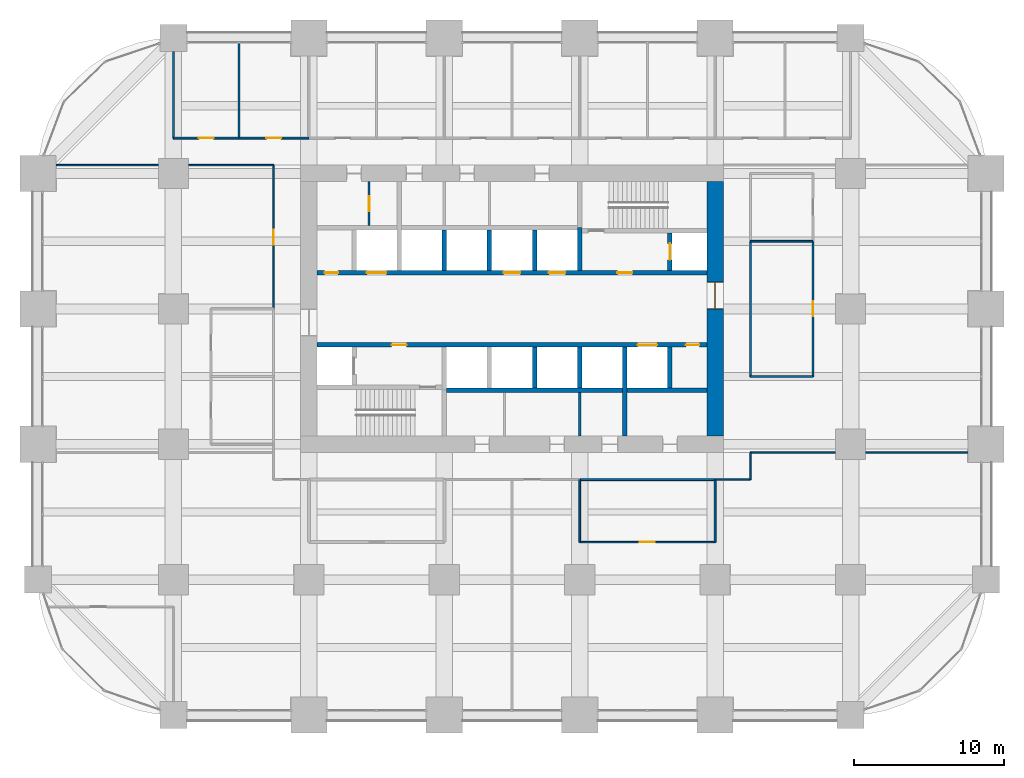
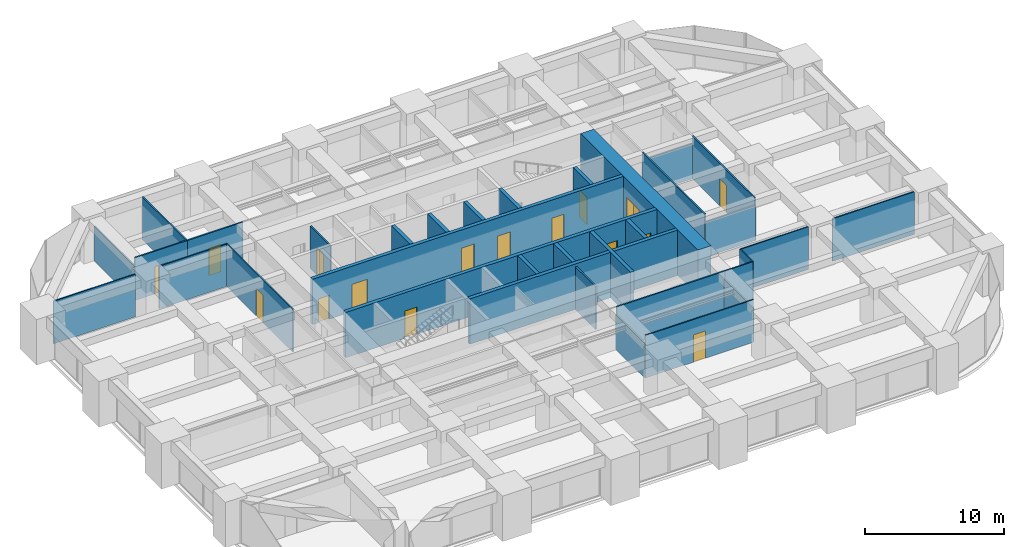
# One storey, part 37 of 40: 34 walls, 16 doors, 16 openings.
"""IFC4 building model written with IfcOpenShell, lengths in metres."""

from ifc_helpers import new_model, si_unit, direction, frame, frame_2d, origin, place, context, subcontext, project, spatial, rectangle, extrude, material, layer, layer_set, type_object, element, fill, save


model = new_model("IFC4")

# Units and contexts
model_context = context("Model", 3, precision=1e-05, world=origin(), true_north=direction((0.0, 1.0)))
body_context = subcontext(model_context, "Body", "Model", "MODEL_VIEW")
ifc_project = project(units=[si_unit("LENGTHUNIT", "METRE"), si_unit("AREAUNIT", "SQUARE_METRE"), si_unit("VOLUMEUNIT", "CUBIC_METRE"), si_unit("PLANEANGLEUNIT", "RADIAN"), si_unit("MASSUNIT", "GRAM", prefix="KILO")], contexts=[model_context])

# Site, building, storey
site_placement = place(None, origin())
site = spatial("IfcSite", under=ifc_project, at=site_placement, CompositionType="ELEMENT")
building_placement = place(site_placement, origin())
building = spatial("IfcBuilding", under=site, at=building_placement, Name="Zorevar Civic Tower", CompositionType="ELEMENT")
storey_placement = place(building_placement, frame((0.0, 0.0, 93.0)))
storey = spatial("IfcBuildingStorey", under=building, at=storey_placement, Name="L22", CompositionType="ELEMENT", Elevation=93.0)

# Wall, opening, door
ifc_material_1 = material(Name="Concrete C50/60", Category="concrete")
ifc_layer_1 = layer(ifc_material_1, 1.10009765625)
ifc_layer_set_1 = layer_set([ifc_layer_1], Name="Core wall 1100")
wall_type_1 = type_object("IfcWallType", Name="Core wall 1100", PredefinedType="SHEAR", material=ifc_layer_set_1)
wall_1_placement = place(storey_placement, frame((45.0, 18.550048828125, 0.0), z_axis=(0.0, 0.0, 1.0), x_axis=(0.0, 1.0, 0.0)))
wall_1 = element("IfcWall", 1, at=wall_1_placement, inside=storey, type_object=wall_type_1, Name="Core wall E L22", PredefinedType="SHEAR", context=body_context, shape_type="SweptSolid", body=[
    extrude(rectangle(XDim=16.89990234375, YDim=1.10009765625, at=frame_2d((8.449951171875, 0.0))), origin(), (0.0, 0.0, 1.0), 4.0),
])
opening_1_placement = place(wall_1_placement, frame((8.449951171875, 0.0, 0.0)))
opening_1 = element("IfcOpeningElement", 2, at=opening_1_placement, cuts=wall_1, Name="Opening L22.02", PredefinedType="OPENING", context=body_context, shape_type="SweptSolid", body=[
    extrude(rectangle(XDim=1.800048828125, YDim=2.39990234375, at=frame_2d((0.89990234375, 1.199951171875))), frame((0.0, 0.56005859375, 0.0), z_axis=(0.0, -1.0, 0.0), x_axis=(1.0, 0.0, 0.0)), (0.0, 0.0, 1.0), 1.1201171875),
])
ifc_material_2 = material(Name="Steel door set", Category="steel")
door_type_1 = type_object("IfcDoorType", Name="Fire door FD2 1800x2400", OperationType="DOUBLE_DOOR_DOUBLE_SWING", PredefinedType="DOOR", material=ifc_material_2)
door_1_placement = place(opening_1_placement, origin())
door_1 = element("IfcDoor", 3, at=door_1_placement, inside=storey, type_object=door_type_1, Name="Door L22 01", OperationType="DOUBLE_DOOR_DOUBLE_SWING", OverallHeight=2.39990234375, OverallWidth=1.800048828125, PredefinedType="DOOR", context=body_context, shape_type="SweptSolid", body=[
    extrude(rectangle(XDim=1.800048828125, YDim=2.39990234375, at=frame_2d((0.89990234375, 1.199951171875))), frame((0.0, 0.030029296875, 0.0), z_axis=(0.0, -1.0, 0.0), x_axis=(1.0, 0.0, 0.0)), (0.0, 0.0, 1.0), 0.06005859375),
    extrude(rectangle(XDim=0.04, YDim=2.39990234375, at=frame_2d((0.02001953125, 1.199951171875))), frame((0.0, 0.5498046875, 0.0), z_axis=(0.0, -1.0, 0.0), x_axis=(1.0, 0.0, 0.0)), (0.0, 0.0, 1.0), 1.099609375),
    extrude(rectangle(XDim=0.04, YDim=2.39990234375, at=frame_2d((1.780029296875, 1.199951171875))), frame((0.0, 0.5498046875, 0.0), z_axis=(0.0, -1.0, 0.0), x_axis=(1.0, 0.0, 0.0)), (0.0, 0.0, 1.0), 1.099609375),
    extrude(rectangle(XDim=1.800048828125, YDim=0.04, at=frame_2d((0.89990234375, 2.3798828125))), frame((0.0, 0.5498046875, 0.0), z_axis=(0.0, -1.0, 0.0), x_axis=(1.0, 0.0, 0.0)), (0.0, 0.0, 1.0), 1.099609375),
])
fill(opening_1, door_1)

ifc_material_3 = material(Name="Laminated glass in black aluminium frame", Category="aluminium")
ifc_layer_2 = layer(ifc_material_3, 0.10009765625)
ifc_layer_set_2 = layer_set([ifc_layer_2], Name="Glazed partition 100")
wall_type_2 = type_object("IfcWallType", Name="Glazed partition 100", PredefinedType="PARTITIONING", material=ifc_layer_set_2)
wall_2_placement = place(storey_placement, frame((36.0, 11.5, 0.0), z_axis=(0.0, 0.0, 1.0), x_axis=(1.0, 0.0, 0.0)))
wall_2 = element("IfcWall", 4, at=wall_2_placement, inside=storey, type_object=wall_type_2, Name="Glazed partition 100 L22", PredefinedType="PARTITIONING", context=body_context, shape_type="SweptSolid", body=[
    extrude(rectangle(XDim=9.0, YDim=0.10009765625, at=frame_2d((4.5, 0.0))), origin(), (0.0, 0.0, 1.0), 3.75),
])
opening_2_placement = place(wall_2_placement, frame((4.0, 0.0, 0.0)))
opening_2 = element("IfcOpeningElement", 5, at=opening_2_placement, cuts=wall_2, Name="Opening L22.19", PredefinedType="OPENING", context=body_context, shape_type="SweptSolid", body=[
    extrude(rectangle(XDim=1.0, YDim=2.39990234375, at=frame_2d((0.5, 1.199951171875))), frame((0.0, 0.06005859375, 0.0), z_axis=(0.0, -1.0, 0.0), x_axis=(1.0, 0.0, 0.0)), (0.0, 0.0, 1.0), 0.1201171875),
])
ifc_material_4 = material(Name="Timber door set", Category="wood")
door_type_2 = type_object("IfcDoorType", Name="Glazed door GD1 1000x2400", OperationType="SINGLE_SWING_LEFT", PredefinedType="DOOR", material=ifc_material_4)
door_2_placement = place(opening_2_placement, origin())
door_2 = element("IfcDoor", 6, at=door_2_placement, inside=storey, type_object=door_type_2, Name="Door L22 D1", OperationType="SINGLE_SWING_LEFT", OverallHeight=2.39990234375, OverallWidth=1.0, PredefinedType="DOOR", context=body_context, shape_type="SweptSolid", body=[
    extrude(rectangle(XDim=1.0, YDim=2.39990234375, at=frame_2d((0.5, 1.199951171875))), frame((0.0, 0.02001953125, 0.0), z_axis=(0.0, -1.0, 0.0), x_axis=(1.0, 0.0, 0.0)), (0.0, 0.0, 1.0), 0.0400390625),
])
fill(opening_2, door_2)

# Walls
wall_3_placement = place(storey_placement, frame((45.0, 15.64990234375, 0.0), z_axis=(0.0, 0.0, 1.0), x_axis=(1.0, 0.0, 0.0)))
element("IfcWall", 7, at=wall_3_placement, inside=storey, type_object=wall_type_2, Name="Glazed partition 100 L22", PredefinedType="PARTITIONING", context=body_context, shape_type="SweptSolid", body=[
    extrude(rectangle(XDim=2.35009765625, YDim=0.10009765625, at=frame_2d((1.175048828125, 0.0))), origin(), (0.0, 0.0, 1.0), 3.75),
])
wall_4_placement = place(storey_placement, frame((47.35009765625, 17.449951171875, 0.0), z_axis=(0.0, 0.0, 1.0), x_axis=(1.0, 0.0, 0.0)))
element("IfcWall", 8, at=wall_4_placement, inside=storey, type_object=wall_type_2, Name="Glazed partition 100 L22", PredefinedType="PARTITIONING", context=body_context, shape_type="SweptSolid", body=[
    extrude(rectangle(XDim=5.64990234375, YDim=0.10009765625, at=frame_2d((2.824951171875, 0.0))), origin(), (0.0, 0.0, 1.0), 3.75),
])
for number, where, z_axis, x_axis, name in (
    (9, (55.0, 17.449951171875, 0.0), (0.0, 0.0, 1.0), (1.0, 0.0, 0.0), "Glazed partition 100 L22"),
    (10, (1.199951171875, 36.550048828125, 0.0), (0.0, 0.0, 1.0), (1.0, 0.0, 0.0), "Glazed partition 100 L22"),
):
    element("IfcWall", number, at=place(storey_placement, frame(where, z_axis=z_axis, x_axis=x_axis)), inside=storey, type_object=wall_type_2, Name=name, PredefinedType="PARTITIONING", context=body_context, shape_type="SweptSolid", body=[
        extrude(rectangle(XDim=6.800048828125, YDim=0.10009765625, at=frame_2d((3.39990234375, 0.0))), origin(), (0.0, 0.0, 1.0), 3.75),
    ])
wall_5_placement = place(storey_placement, frame((10.0, 36.550048828125, 0.0), z_axis=(0.0, 0.0, 1.0), x_axis=(1.0, 0.0, 0.0)))
element("IfcWall", 11, at=wall_5_placement, inside=storey, type_object=wall_type_2, Name="Glazed partition 100 L22", PredefinedType="PARTITIONING", context=body_context, shape_type="SweptSolid", body=[
    extrude(rectangle(XDim=5.64990234375, YDim=0.10009765625, at=frame_2d((2.824951171875, 0.0))), origin(), (0.0, 0.0, 1.0), 3.75),
])

# Wall, opening, door
wall_6_placement = place(storey_placement, frame((15.64990234375, 27.0, 0.0), z_axis=(0.0, 0.0, 1.0), x_axis=(0.0, 1.0, 0.0)))
wall_6 = element("IfcWall", 12, at=wall_6_placement, inside=storey, type_object=wall_type_2, Name="Glazed partition 100 L22", PredefinedType="PARTITIONING", context=body_context, shape_type="SweptSolid", body=[
    extrude(rectangle(XDim=9.550048828125, YDim=0.10009765625, at=frame_2d((4.77490234375, 0.0))), origin(), (0.0, 0.0, 1.0), 3.75),
])
opening_3_placement = place(wall_6_placement, frame((4.27490234375, 0.0, 0.0)))
opening_3 = element("IfcOpeningElement", 13, at=opening_3_placement, cuts=wall_6, Name="Opening L22.34", PredefinedType="OPENING", context=body_context, shape_type="SweptSolid", body=[
    extrude(rectangle(XDim=1.0, YDim=2.39990234375, at=frame_2d((0.5, 1.199951171875))), frame((0.0, 0.06005859375, 0.0), z_axis=(0.0, -1.0, 0.0), x_axis=(1.0, 0.0, 0.0)), (0.0, 0.0, 1.0), 0.1201171875),
])
door_3_placement = place(opening_3_placement, origin())
door_3 = element("IfcDoor", 14, at=door_3_placement, inside=storey, type_object=door_type_2, Name="Door L22 D1", OperationType="SINGLE_SWING_LEFT", OverallHeight=2.39990234375, OverallWidth=1.0, PredefinedType="DOOR", context=body_context, shape_type="SweptSolid", body=[
    extrude(rectangle(XDim=1.0, YDim=2.39990234375, at=frame_2d((0.5, 1.199951171875))), frame((0.0, 0.02001953125, 0.0), z_axis=(0.0, -1.0, 0.0), x_axis=(1.0, 0.0, 0.0)), (0.0, 0.0, 1.0), 0.0400390625),
])
fill(opening_3, door_3)

# Wall
wall_7_placement = place(storey_placement, frame((47.35009765625, 15.64990234375, 0.0), z_axis=(0.0, 0.0, 1.0), x_axis=(0.0, 1.0, 0.0)))
element("IfcWall", 15, at=wall_7_placement, inside=storey, type_object=wall_type_2, Name="Glazed partition 100 L22", PredefinedType="PARTITIONING", context=body_context, shape_type="SweptSolid", body=[
    extrude(rectangle(XDim=1.800048828125, YDim=0.10009765625, at=frame_2d((0.89990234375, 0.0))), origin(), (0.0, 0.0, 1.0), 3.75),
])

# Wall, opening, door
ifc_material_5 = material(Name="Concrete C40/50", Category="concrete")
ifc_layer_3 = layer(ifc_material_5, 0.300048828125)
ifc_layer_set_3 = layer_set([ifc_layer_3], Name="Inner core wall 300")
wall_type_3 = type_object("IfcWallType", Name="Inner core wall 300", PredefinedType="SHEAR", material=ifc_layer_set_3)
wall_8_placement = place(storey_placement, frame((42.0, 29.550048828125, 0.0), z_axis=(0.0, 0.0, 1.0), x_axis=(0.0, 1.0, 0.0)))
wall_8 = element("IfcWall", 16, at=wall_8_placement, inside=storey, type_object=wall_type_3, Name="Inner core wall N02 L22", PredefinedType="SHEAR", context=body_context, shape_type="SweptSolid", body=[
    extrude(rectangle(XDim=2.5, YDim=0.300048828125, at=frame_2d((1.25, 0.0))), origin(), (0.0, 0.0, 1.0), 4.0),
])
opening_4_placement = place(wall_8_placement, frame((0.699951171875, 0.0, 0.0)))
opening_4 = element("IfcOpeningElement", 17, at=opening_4_placement, cuts=wall_8, Name="Opening L22.FL2", PredefinedType="OPENING", context=body_context, shape_type="SweptSolid", body=[
    extrude(rectangle(XDim=1.10009765625, YDim=2.39990234375, at=frame_2d((0.550048828125, 1.199951171875))), frame((0.0, 0.159912109375, 0.0), z_axis=(0.0, -1.0, 0.0), x_axis=(1.0, 0.0, 0.0)), (0.0, 0.0, 1.0), 0.320068359375),
])
ifc_material_6 = material(Name="Steel door set", Category="steel")
door_type_3 = type_object("IfcDoorType", Name="Firefighting lift landing door LD3 1100x2400", OperationType="DOUBLE_DOOR_SLIDING", PredefinedType="DOOR", material=ifc_material_6)
door_4_placement = place(opening_4_placement, origin())
door_4 = element("IfcDoor", 18, at=door_4_placement, inside=storey, type_object=door_type_3, Name="Landing door FL2 L22", OperationType="DOUBLE_DOOR_SLIDING", OverallHeight=2.39990234375, OverallWidth=1.10009765625, PredefinedType="DOOR", context=body_context, shape_type="SweptSolid", body=[
    extrude(rectangle(XDim=1.10009765625, YDim=2.39990234375, at=frame_2d((0.550048828125, 1.199951171875))), frame((0.0, 0.030029296875, 0.0), z_axis=(0.0, -1.0, 0.0), x_axis=(1.0, 0.0, 0.0)), (0.0, 0.0, 1.0), 0.06005859375),
])
fill(opening_4, door_4)

# Wall, openings, doors
wall_9_placement = place(storey_placement, frame((18.550048828125, 24.60009765625, 0.0), z_axis=(0.0, 0.0, 1.0), x_axis=(1.0, 0.0, 0.0)))
wall_9 = element("IfcWall", 19, at=wall_9_placement, inside=storey, type_object=wall_type_3, Name="Inner core wall S03 L22", PredefinedType="SHEAR", context=body_context, shape_type="SweptSolid", body=[
    extrude(rectangle(XDim=25.89990234375, YDim=0.300048828125, at=frame_2d((12.949951171875, 0.0))), origin(), (0.0, 0.0, 1.0), 4.0),
])
opening_5_placement = place(wall_9_placement, frame((4.949951171875, 0.0, 0.0)))
opening_5 = element("IfcOpeningElement", 20, at=opening_5_placement, cuts=wall_9, Name="Opening L22.13", PredefinedType="OPENING", context=body_context, shape_type="SweptSolid", body=[
    extrude(rectangle(XDim=1.0, YDim=2.39990234375, at=frame_2d((0.5, 1.199951171875))), frame((0.0, 0.159912109375, 0.0), z_axis=(0.0, -1.0, 0.0), x_axis=(1.0, 0.0, 0.0)), (0.0, 0.0, 1.0), 0.320068359375),
])
opening_6_placement = place(wall_9_placement, frame((24.5, 0.0, 0.0)))
opening_6 = element("IfcOpeningElement", 21, at=opening_6_placement, cuts=wall_9, Name="Opening L22.15", PredefinedType="OPENING", context=body_context, shape_type="SweptSolid", body=[
    extrude(rectangle(XDim=0.89990234375, YDim=2.10009765625, at=frame_2d((0.449951171875, 1.050048828125))), frame((0.0, 0.159912109375, 0.0), z_axis=(0.0, -1.0, 0.0), x_axis=(1.0, 0.0, 0.0)), (0.0, 0.0, 1.0), 0.320068359375),
])
opening_7_placement = place(wall_9_placement, frame((21.300048828125, 0.0, 0.0)))
opening_7 = element("IfcOpeningElement", 22, at=opening_7_placement, cuts=wall_9, Name="Opening L22.SL1", PredefinedType="OPENING", context=body_context, shape_type="SweptSolid", body=[
    extrude(rectangle(XDim=1.300048828125, YDim=2.39990234375, at=frame_2d((0.64990234375, 1.199951171875))), frame((0.0, 0.159912109375, 0.0), z_axis=(0.0, -1.0, 0.0), x_axis=(1.0, 0.0, 0.0)), (0.0, 0.0, 1.0), 0.320068359375),
])
ifc_material_7 = material(Name="Steel door set", Category="steel")
door_type_4 = type_object("IfcDoorType", Name="Fire door FD1 1000x2400", OperationType="SINGLE_SWING_LEFT", PredefinedType="DOOR", material=ifc_material_7)
door_5_placement = place(opening_5_placement, origin())
door_5 = element("IfcDoor", 23, at=door_5_placement, inside=storey, type_object=door_type_4, Name="Door L22 12", OperationType="SINGLE_SWING_RIGHT", OverallHeight=2.39990234375, OverallWidth=1.0, PredefinedType="DOOR", context=body_context, shape_type="SweptSolid", body=[
    extrude(rectangle(XDim=1.0, YDim=2.39990234375, at=frame_2d((0.5, 1.199951171875))), frame((0.0, 0.030029296875, 0.0), z_axis=(0.0, -1.0, 0.0), x_axis=(1.0, 0.0, 0.0)), (0.0, 0.0, 1.0), 0.06005859375),
])
fill(opening_5, door_5)
ifc_material_8 = material(Name="Steel door set", Category="steel")
door_type_5 = type_object("IfcDoorType", Name="Landing door LD2 1300x2400", OperationType="DOUBLE_DOOR_SLIDING", PredefinedType="DOOR", material=ifc_material_8)
door_6_placement = place(opening_7_placement, origin())
door_6 = element("IfcDoor", 24, at=door_6_placement, inside=storey, type_object=door_type_5, Name="Landing door SL1 L22", OperationType="DOUBLE_DOOR_SLIDING", OverallHeight=2.39990234375, OverallWidth=1.300048828125, PredefinedType="DOOR", context=body_context, shape_type="SweptSolid", body=[
    extrude(rectangle(XDim=1.300048828125, YDim=2.39990234375, at=frame_2d((0.64990234375, 1.199951171875))), frame((0.0, 0.02001953125, 0.0), z_axis=(0.0, -1.0, 0.0), x_axis=(1.0, 0.0, 0.0)), (0.0, 0.0, 1.0), 0.0400390625),
])
fill(opening_7, door_6)
ifc_material_9 = material(Name="Steel door set", Category="steel")
door_type_6 = type_object("IfcDoorType", Name="Riser door RD1 900x2100", OperationType="SINGLE_SWING_LEFT", PredefinedType="DOOR", material=ifc_material_9)
door_7_placement = place(opening_6_placement, origin())
door_7 = element("IfcDoor", 25, at=door_7_placement, inside=storey, type_object=door_type_6, Name="Door L22 14", OperationType="SINGLE_SWING_RIGHT", OverallHeight=2.10009765625, OverallWidth=0.89990234375, PredefinedType="DOOR", context=body_context, shape_type="SweptSolid", body=[
    extrude(rectangle(XDim=0.89990234375, YDim=2.10009765625, at=frame_2d((0.449951171875, 1.050048828125))), frame((0.0, 0.030029296875, 0.0), z_axis=(0.0, -1.0, 0.0), x_axis=(1.0, 0.0, 0.0)), (0.0, 0.0, 1.0), 0.06005859375),
])
fill(opening_6, door_7)

wall_10_placement = place(storey_placement, frame((18.550048828125, 29.39990234375, 0.0), z_axis=(0.0, 0.0, 1.0), x_axis=(1.0, 0.0, 0.0)))
wall_10 = element("IfcWall", 26, at=wall_10_placement, inside=storey, type_object=wall_type_3, Name="Inner core wall N03 L22", PredefinedType="SHEAR", context=body_context, shape_type="SweptSolid", body=[
    extrude(rectangle(XDim=25.89990234375, YDim=0.300048828125, at=frame_2d((12.949951171875, 0.0))), origin(), (0.0, 0.0, 1.0), 4.0),
])
opening_8_placement = place(wall_10_placement, frame((19.949951171875, 0.0, 0.0)))
opening_8 = element("IfcOpeningElement", 27, at=opening_8_placement, cuts=wall_10, Name="Opening L22.14", PredefinedType="OPENING", context=body_context, shape_type="SweptSolid", body=[
    extrude(rectangle(XDim=1.0, YDim=2.39990234375, at=frame_2d((0.5, 1.199951171875))), frame((0.0, 0.159912109375, 0.0), z_axis=(0.0, -1.0, 0.0), x_axis=(1.0, 0.0, 0.0)), (0.0, 0.0, 1.0), 0.320068359375),
])
opening_9_placement = place(wall_10_placement, frame((0.5, 0.0, 0.0)))
opening_9 = element("IfcOpeningElement", 28, at=opening_9_placement, cuts=wall_10, Name="Opening L22.16", PredefinedType="OPENING", context=body_context, shape_type="SweptSolid", body=[
    extrude(rectangle(XDim=0.89990234375, YDim=2.10009765625, at=frame_2d((0.449951171875, 1.050048828125))), frame((0.0, 0.159912109375, 0.0), z_axis=(0.0, -1.0, 0.0), x_axis=(1.0, 0.0, 0.0)), (0.0, 0.0, 1.0), 0.320068359375),
])
opening_10_placement = place(wall_10_placement, frame((15.39990234375, 0.0, 0.0)))
opening_10 = element("IfcOpeningElement", 29, at=opening_10_placement, cuts=wall_10, Name="Opening L22.LM1", PredefinedType="OPENING", context=body_context, shape_type="SweptSolid", body=[
    extrude(rectangle(XDim=1.10009765625, YDim=2.39990234375, at=frame_2d((0.550048828125, 1.199951171875))), frame((0.0, 0.159912109375, 0.0), z_axis=(0.0, -1.0, 0.0), x_axis=(1.0, 0.0, 0.0)), (0.0, 0.0, 1.0), 0.320068359375),
])
opening_11_placement = place(wall_10_placement, frame((12.39990234375, 0.0, 0.0)))
opening_11 = element("IfcOpeningElement", 30, at=opening_11_placement, cuts=wall_10, Name="Opening L22.LM2", PredefinedType="OPENING", context=body_context, shape_type="SweptSolid", body=[
    extrude(rectangle(XDim=1.10009765625, YDim=2.39990234375, at=frame_2d((0.550048828125, 1.199951171875))), frame((0.0, 0.159912109375, 0.0), z_axis=(0.0, -1.0, 0.0), x_axis=(1.0, 0.0, 0.0)), (0.0, 0.0, 1.0), 0.320068359375),
])
opening_12_placement = place(wall_10_placement, frame((3.300048828125, 0.0, 0.0)))
opening_12 = element("IfcOpeningElement", 31, at=opening_12_placement, cuts=wall_10, Name="Opening L22.SL2", PredefinedType="OPENING", context=body_context, shape_type="SweptSolid", body=[
    extrude(rectangle(XDim=1.300048828125, YDim=2.39990234375, at=frame_2d((0.64990234375, 1.199951171875))), frame((0.0, 0.159912109375, 0.0), z_axis=(0.0, -1.0, 0.0), x_axis=(1.0, 0.0, 0.0)), (0.0, 0.0, 1.0), 0.320068359375),
])
door_8_placement = place(opening_8_placement, origin())
door_8 = element("IfcDoor", 32, at=door_8_placement, inside=storey, type_object=door_type_4, Name="Door L22 13", OperationType="SINGLE_SWING_RIGHT", OverallHeight=2.39990234375, OverallWidth=1.0, PredefinedType="DOOR", context=body_context, shape_type="SweptSolid", body=[
    extrude(rectangle(XDim=1.0, YDim=2.39990234375, at=frame_2d((0.5, 1.199951171875))), frame((0.0, 0.030029296875, 0.0), z_axis=(0.0, -1.0, 0.0), x_axis=(1.0, 0.0, 0.0)), (0.0, 0.0, 1.0), 0.06005859375),
])
fill(opening_8, door_8)
ifc_material_10 = material(Name="Steel door set", Category="steel")
door_type_7 = type_object("IfcDoorType", Name="Landing door LD1 1100x2400", OperationType="DOUBLE_DOOR_SLIDING", PredefinedType="DOOR", material=ifc_material_10)
door_9_placement = place(opening_10_placement, origin())
door_9 = element("IfcDoor", 33, at=door_9_placement, inside=storey, type_object=door_type_7, Name="Landing door LM1 L22", OperationType="DOUBLE_DOOR_SLIDING", OverallHeight=2.39990234375, OverallWidth=1.10009765625, PredefinedType="DOOR", context=body_context, shape_type="SweptSolid", body=[
    extrude(rectangle(XDim=1.10009765625, YDim=2.39990234375, at=frame_2d((0.550048828125, 1.199951171875))), frame((0.0, 0.02001953125, 0.0), z_axis=(0.0, -1.0, 0.0), x_axis=(1.0, 0.0, 0.0)), (0.0, 0.0, 1.0), 0.0400390625),
])
fill(opening_10, door_9)
door_10_placement = place(opening_11_placement, origin())
door_10 = element("IfcDoor", 34, at=door_10_placement, inside=storey, type_object=door_type_7, Name="Landing door LM2 L22", OperationType="DOUBLE_DOOR_SLIDING", OverallHeight=2.39990234375, OverallWidth=1.10009765625, PredefinedType="DOOR", context=body_context, shape_type="SweptSolid", body=[
    extrude(rectangle(XDim=1.10009765625, YDim=2.39990234375, at=frame_2d((0.550048828125, 1.199951171875))), frame((0.0, 0.02001953125, 0.0), z_axis=(0.0, -1.0, 0.0), x_axis=(1.0, 0.0, 0.0)), (0.0, 0.0, 1.0), 0.0400390625),
])
fill(opening_11, door_10)
door_11_placement = place(opening_12_placement, origin())
door_11 = element("IfcDoor", 35, at=door_11_placement, inside=storey, type_object=door_type_5, Name="Landing door SL2 L22", OperationType="DOUBLE_DOOR_SLIDING", OverallHeight=2.39990234375, OverallWidth=1.300048828125, PredefinedType="DOOR", context=body_context, shape_type="SweptSolid", body=[
    extrude(rectangle(XDim=1.300048828125, YDim=2.39990234375, at=frame_2d((0.64990234375, 1.199951171875))), frame((0.0, 0.02001953125, 0.0), z_axis=(0.0, -1.0, 0.0), x_axis=(1.0, 0.0, 0.0)), (0.0, 0.0, 1.0), 0.0400390625),
])
fill(opening_12, door_11)
door_12_placement = place(opening_9_placement, origin())
door_12 = element("IfcDoor", 36, at=door_12_placement, inside=storey, type_object=door_type_6, Name="Door L22 15", OperationType="SINGLE_SWING_RIGHT", OverallHeight=2.10009765625, OverallWidth=0.89990234375, PredefinedType="DOOR", context=body_context, shape_type="SweptSolid", body=[
    extrude(rectangle(XDim=0.89990234375, YDim=2.10009765625, at=frame_2d((0.449951171875, 1.050048828125))), frame((0.0, 0.030029296875, 0.0), z_axis=(0.0, -1.0, 0.0), x_axis=(1.0, 0.0, 0.0)), (0.0, 0.0, 1.0), 0.06005859375),
])
fill(opening_9, door_12)

# Walls
wall_11_placement = place(storey_placement, frame((27.14990234375, 21.60009765625, 0.0), z_axis=(0.0, 0.0, 1.0), x_axis=(1.0, 0.0, 0.0)))
element("IfcWall", 37, at=wall_11_placement, inside=storey, type_object=wall_type_3, Name="Inner core wall S04 L22", PredefinedType="SHEAR", context=body_context, shape_type="SweptSolid", body=[
    extrude(rectangle(XDim=17.300048828125, YDim=0.300048828125, at=frame_2d((8.64990234375, 0.0))), origin(), (0.0, 0.0, 1.0), 4.0),
])
for number, where, z_axis, x_axis, name in (
    (38, (33.0, 29.550048828125, 0.0), (0.0, 0.0, 1.0), (0.0, 1.0, 0.0), "Inner core wall N05 L22"),
    (39, (33.0, 21.75, 0.0), (0.0, 0.0, 1.0), (0.0, 1.0, 0.0), "Inner core wall S06 L22"),
    (40, (30.0, 29.550048828125, 0.0), (0.0, 0.0, 1.0), (0.0, 1.0, 0.0), "Inner core wall N06 L22"),
    (41, (36.0, 21.75, 0.0), (0.0, 0.0, 1.0), (0.0, 1.0, 0.0), "Inner core wall S07 L22"),
    (42, (27.0, 29.550048828125, 0.0), (0.0, 0.0, 1.0), (0.0, 1.0, 0.0), "Inner core wall N07 L22"),
):
    element("IfcWall", number, at=place(storey_placement, frame(where, z_axis=z_axis, x_axis=x_axis)), inside=storey, type_object=wall_type_3, Name=name, PredefinedType="SHEAR", context=body_context, shape_type="SweptSolid", body=[
        extrude(rectangle(XDim=2.699951171875, YDim=0.300048828125, at=frame_2d((1.35009765625, 0.0))), origin(), (0.0, 0.0, 1.0), 4.0),
    ])
wall_12_placement = place(storey_placement, frame((39.0, 18.550048828125, 0.0), z_axis=(0.0, 0.0, 1.0), x_axis=(0.0, 1.0, 0.0)))
element("IfcWall", 43, at=wall_12_placement, inside=storey, type_object=wall_type_3, Name="Inner core wall S08 L22", PredefinedType="SHEAR", context=body_context, shape_type="SweptSolid", body=[
    extrude(rectangle(XDim=5.89990234375, YDim=0.300048828125, at=frame_2d((2.949951171875, 0.0))), origin(), (0.0, 0.0, 1.0), 4.0),
])
wall_13_placement = place(storey_placement, frame((42.0, 21.75, 0.0), z_axis=(0.0, 0.0, 1.0), x_axis=(0.0, 1.0, 0.0)))
element("IfcWall", 44, at=wall_13_placement, inside=storey, type_object=wall_type_3, Name="Inner core wall S09 L22", PredefinedType="SHEAR", context=body_context, shape_type="SweptSolid", body=[
    extrude(rectangle(XDim=2.699951171875, YDim=0.300048828125, at=frame_2d((1.35009765625, 0.0))), origin(), (0.0, 0.0, 1.0), 4.0),
])
wall_14_placement = place(storey_placement, frame((36.0, 29.550048828125, 0.0), z_axis=(0.0, 0.0, 1.0), x_axis=(0.0, 1.0, 0.0)))
element("IfcWall", 45, at=wall_14_placement, inside=storey, type_object=wall_type_3, Name="Inner core wall N10 L22", PredefinedType="SHEAR", context=body_context, shape_type="SweptSolid", body=[
    extrude(rectangle(XDim=2.849853515625, YDim=0.300048828125, at=frame_2d((1.4248046875, 0.0))), origin(), (0.0, 0.0, 1.0), 4.0),
])
ifc_material_11 = material(Name="Gypsum board on steel studs", Category="steel")
ifc_layer_4 = layer(ifc_material_11, 0.1201171875)
ifc_layer_set_4 = layer_set([ifc_layer_4], Name="Partition 120")
wall_type_4 = type_object("IfcWallType", Name="Partition 120", PredefinedType="PARTITIONING", material=ifc_layer_set_4)
wall_15_placement = place(storey_placement, frame((36.0, 15.64990234375, 0.0), z_axis=(0.0, 0.0, 1.0), x_axis=(1.0, 0.0, 0.0)))
element("IfcWall", 46, at=wall_15_placement, inside=storey, type_object=wall_type_4, Name="Partition 120 L22", PredefinedType="PARTITIONING", context=body_context, shape_type="SweptSolid", body=[
    extrude(rectangle(XDim=9.0, YDim=0.1201171875, at=frame_2d((4.5, 0.0))), origin(), (0.0, 0.0, 1.0), 3.75),
])
for number, where, z_axis, x_axis, name in (
    (47, (47.35009765625, 22.5, 0.0), (0.0, 0.0, 1.0), (1.0, 0.0, 0.0), "Partition 120 L22"),
    (48, (47.35009765625, 31.5, 0.0), (0.0, 0.0, 1.0), (1.0, 0.0, 0.0), "Partition 120 L22"),
):
    element("IfcWall", number, at=place(storey_placement, frame(where, z_axis=z_axis, x_axis=x_axis)), inside=storey, type_object=wall_type_4, Name=name, PredefinedType="PARTITIONING", context=body_context, shape_type="SweptSolid", body=[
        extrude(rectangle(XDim=4.14990234375, YDim=0.1201171875, at=frame_2d((2.074951171875, 0.0))), origin(), (0.0, 0.0, 1.0), 3.10009765625),
    ])

# Wall, opening, door
wall_16_placement = place(storey_placement, frame((9.0, 38.35009765625, 0.0), z_axis=(0.0, 0.0, 1.0), x_axis=(1.0, 0.0, 0.0)))
wall_16 = element("IfcWall", 49, at=wall_16_placement, inside=storey, type_object=wall_type_4, Name="Partition 120 L22", PredefinedType="PARTITIONING", context=body_context, shape_type="SweptSolid", body=[
    extrude(rectangle(XDim=4.35009765625, YDim=0.1201171875, at=frame_2d((2.175048828125, 0.0))), origin(), (0.0, 0.0, 1.0), 3.75),
])
opening_13_placement = place(wall_16_placement, frame((1.675048828125, 0.0, 0.0)))
opening_13 = element("IfcOpeningElement", 50, at=opening_13_placement, cuts=wall_16, Name="Opening L22.22", PredefinedType="OPENING", context=body_context, shape_type="SweptSolid", body=[
    extrude(rectangle(XDim=1.0, YDim=2.39990234375, at=frame_2d((0.5, 1.199951171875))), frame((0.0, 0.070068359375, 0.0), z_axis=(0.0, -1.0, 0.0), x_axis=(1.0, 0.0, 0.0)), (0.0, 0.0, 1.0), 0.14013671875),
])
ifc_material_12 = material(Name="Timber door set", Category="wood")
door_type_8 = type_object("IfcDoorType", Name="Door D1 1000x2400", OperationType="SINGLE_SWING_LEFT", PredefinedType="DOOR", material=ifc_material_12)
door_13_placement = place(opening_13_placement, origin())
door_13 = element("IfcDoor", 51, at=door_13_placement, inside=storey, type_object=door_type_8, Name="Door L22 D1", OperationType="SINGLE_SWING_LEFT", OverallHeight=2.39990234375, OverallWidth=1.0, PredefinedType="DOOR", context=body_context, shape_type="SweptSolid", body=[
    extrude(rectangle(XDim=1.0, YDim=2.39990234375, at=frame_2d((0.5, 1.199951171875))), frame((0.0, 0.02490234375, 0.0), z_axis=(0.0, -1.0, 0.0), x_axis=(1.0, 0.0, 0.0)), (0.0, 0.0, 1.0), 0.050048828125),
])
fill(opening_13, door_13)

wall_17_placement = place(storey_placement, frame((13.35009765625, 38.35009765625, 0.0), z_axis=(0.0, 0.0, 1.0), x_axis=(1.0, 0.0, 0.0)))
wall_17 = element("IfcWall", 52, at=wall_17_placement, inside=storey, type_object=wall_type_4, Name="Partition 120 L22", PredefinedType="PARTITIONING", context=body_context, shape_type="SweptSolid", body=[
    extrude(rectangle(XDim=4.64990234375, YDim=0.1201171875, at=frame_2d((2.324951171875, 0.0))), origin(), (0.0, 0.0, 1.0), 3.75),
])
opening_14_placement = place(wall_17_placement, frame((1.824951171875, 0.0, 0.0)))
opening_14 = element("IfcOpeningElement", 53, at=opening_14_placement, cuts=wall_17, Name="Opening L22.23", PredefinedType="OPENING", context=body_context, shape_type="SweptSolid", body=[
    extrude(rectangle(XDim=1.0, YDim=2.39990234375, at=frame_2d((0.5, 1.199951171875))), frame((0.0, 0.070068359375, 0.0), z_axis=(0.0, -1.0, 0.0), x_axis=(1.0, 0.0, 0.0)), (0.0, 0.0, 1.0), 0.14013671875),
])
door_14_placement = place(opening_14_placement, origin())
door_14 = element("IfcDoor", 54, at=door_14_placement, inside=storey, type_object=door_type_8, Name="Door L22 D1", OperationType="SINGLE_SWING_LEFT", OverallHeight=2.39990234375, OverallWidth=1.0, PredefinedType="DOOR", context=body_context, shape_type="SweptSolid", body=[
    extrude(rectangle(XDim=1.0, YDim=2.39990234375, at=frame_2d((0.5, 1.199951171875))), frame((0.0, 0.02490234375, 0.0), z_axis=(0.0, -1.0, 0.0), x_axis=(1.0, 0.0, 0.0)), (0.0, 0.0, 1.0), 0.050048828125),
])
fill(opening_14, door_14)

# Walls
wall_18_placement = place(storey_placement, frame((9.0, 38.35009765625, 0.0), z_axis=(0.0, 0.0, 1.0), x_axis=(0.0, 1.0, 0.0)))
element("IfcWall", 55, at=wall_18_placement, inside=storey, type_object=wall_type_4, Name="Partition 120 L22", PredefinedType="PARTITIONING", context=body_context, shape_type="SweptSolid", body=[
    extrude(rectangle(XDim=5.75, YDim=0.1201171875, at=frame_2d((2.875, 0.0))), origin(), (0.0, 0.0, 1.0), 3.050048828125),
])
wall_19_placement = place(storey_placement, frame((13.35009765625, 38.35009765625, 0.0), z_axis=(0.0, 0.0, 1.0), x_axis=(0.0, 1.0, 0.0)))
element("IfcWall", 56, at=wall_19_placement, inside=storey, type_object=wall_type_4, Name="Partition 120 L22", PredefinedType="PARTITIONING", context=body_context, shape_type="SweptSolid", body=[
    extrude(rectangle(XDim=6.33984375, YDim=0.1201171875, at=frame_2d((3.169921875, 0.0))), origin(), (0.0, 0.0, 1.0), 3.75),
])
for number, where, z_axis, x_axis, name in (
    (57, (36.0, 11.5, 0.0), (0.0, 0.0, 1.0), (0.0, 1.0, 0.0), "Partition 120 L22"),
    (58, (45.0, 11.5, 0.0), (0.0, 0.0, 1.0), (0.0, 1.0, 0.0), "Partition 120 L22"),
):
    element("IfcWall", number, at=place(storey_placement, frame(where, z_axis=z_axis, x_axis=x_axis)), inside=storey, type_object=wall_type_4, Name=name, PredefinedType="PARTITIONING", context=body_context, shape_type="SweptSolid", body=[
        extrude(rectangle(XDim=4.14990234375, YDim=0.1201171875, at=frame_2d((2.074951171875, 0.0))), origin(), (0.0, 0.0, 1.0), 3.050048828125),
    ])
wall_20_placement = place(storey_placement, frame((47.35009765625, 22.5, 0.0), z_axis=(0.0, 0.0, 1.0), x_axis=(0.0, 1.0, 0.0)))
element("IfcWall", 59, at=wall_20_placement, inside=storey, type_object=wall_type_4, Name="Partition 120 L22", PredefinedType="PARTITIONING", context=body_context, shape_type="SweptSolid", body=[
    extrude(rectangle(XDim=9.0, YDim=0.1201171875, at=frame_2d((4.5, 0.0))), origin(), (0.0, 0.0, 1.0), 3.75),
])

# Wall, opening, door
wall_21_placement = place(storey_placement, frame((51.5, 22.5, 0.0), z_axis=(0.0, 0.0, 1.0), x_axis=(0.0, 1.0, 0.0)))
wall_21 = element("IfcWall", 60, at=wall_21_placement, inside=storey, type_object=wall_type_4, Name="Partition 120 L22", PredefinedType="PARTITIONING", context=body_context, shape_type="SweptSolid", body=[
    extrude(rectangle(XDim=9.0, YDim=0.1201171875, at=frame_2d((4.5, 0.0))), origin(), (0.0, 0.0, 1.0), 3.75),
])
opening_15_placement = place(wall_21_placement, frame((4.0, 0.0, 0.0)))
opening_15 = element("IfcOpeningElement", 61, at=opening_15_placement, cuts=wall_21, Name="Opening L22.36", PredefinedType="OPENING", context=body_context, shape_type="SweptSolid", body=[
    extrude(rectangle(XDim=1.0, YDim=2.39990234375, at=frame_2d((0.5, 1.199951171875))), frame((0.0, 0.070068359375, 0.0), z_axis=(0.0, -1.0, 0.0), x_axis=(1.0, 0.0, 0.0)), (0.0, 0.0, 1.0), 0.14013671875),
])
door_15_placement = place(opening_15_placement, origin())
door_15 = element("IfcDoor", 62, at=door_15_placement, inside=storey, type_object=door_type_8, Name="Door L22 D1", OperationType="SINGLE_SWING_LEFT", OverallHeight=2.39990234375, OverallWidth=1.0, PredefinedType="DOOR", context=body_context, shape_type="SweptSolid", body=[
    extrude(rectangle(XDim=1.0, YDim=2.39990234375, at=frame_2d((0.5, 1.199951171875))), frame((0.0, 0.02490234375, 0.0), z_axis=(0.0, -1.0, 0.0), x_axis=(1.0, 0.0, 0.0)), (0.0, 0.0, 1.0), 0.050048828125),
])
fill(opening_15, door_15)

wall_22_placement = place(storey_placement, frame((22.0, 32.550048828125, 0.0), z_axis=(0.0, 0.0, 1.0), x_axis=(0.0, 1.0, 0.0)))
wall_22 = element("IfcWall", 63, at=wall_22_placement, inside=storey, type_object=wall_type_4, Name="Partition L22", PredefinedType="PARTITIONING", context=body_context, shape_type="SweptSolid", body=[
    extrude(rectangle(XDim=2.89990234375, YDim=0.1201171875, at=frame_2d((1.449951171875, 0.0))), origin(), (0.0, 0.0, 1.0), 3.75),
])
opening_16_placement = place(wall_22_placement, frame((0.949951171875, 0.0, 0.0)))
opening_16 = element("IfcOpeningElement", 64, at=opening_16_placement, cuts=wall_22, Name="Opening L22.37", PredefinedType="OPENING", context=body_context, shape_type="SweptSolid", body=[
    extrude(rectangle(XDim=1.0, YDim=2.39990234375, at=frame_2d((0.5, 1.199951171875))), frame((0.0, 0.070068359375, 0.0), z_axis=(0.0, -1.0, 0.0), x_axis=(1.0, 0.0, 0.0)), (0.0, 0.0, 1.0), 0.14013671875),
])
door_16_placement = place(opening_16_placement, origin())
door_16 = element("IfcDoor", 65, at=door_16_placement, inside=storey, type_object=door_type_4, Name="Door L22 EN", OperationType="SINGLE_SWING_LEFT", OverallHeight=2.39990234375, OverallWidth=1.0, PredefinedType="DOOR", context=body_context, shape_type="SweptSolid", body=[
    extrude(rectangle(XDim=1.0, YDim=2.39990234375, at=frame_2d((0.5, 1.199951171875))), frame((0.0, 0.030029296875, 0.0), z_axis=(0.0, -1.0, 0.0), x_axis=(1.0, 0.0, 0.0)), (0.0, 0.0, 1.0), 0.06005859375),
])
fill(opening_16, door_16)

# Wall
ifc_material_13 = material(Name="Gypsum board on steel studs, moisture resistant", Category="steel")
ifc_layer_5 = layer(ifc_material_13, 0.14990234375)
ifc_layer_set_5 = layer_set([ifc_layer_5], Name="WC partition 150")
wall_type_5 = type_object("IfcWallType", Name="WC partition 150", PredefinedType="PARTITIONING", material=ifc_layer_set_5)
wall_23_placement = place(storey_placement, frame((36.0, 18.550048828125, 0.0), z_axis=(0.0, 0.0, 1.0), x_axis=(0.0, 1.0, 0.0)))
element("IfcWall", 66, at=wall_23_placement, inside=storey, type_object=wall_type_5, Name="WC partition L22", PredefinedType="PARTITIONING", context=body_context, shape_type="SweptSolid", body=[
    extrude(rectangle(XDim=2.89990234375, YDim=0.14990234375, at=frame_2d((1.449951171875, 0.0))), origin(), (0.0, 0.0, 1.0), 3.75),
])

save(model, "model.ifc")
